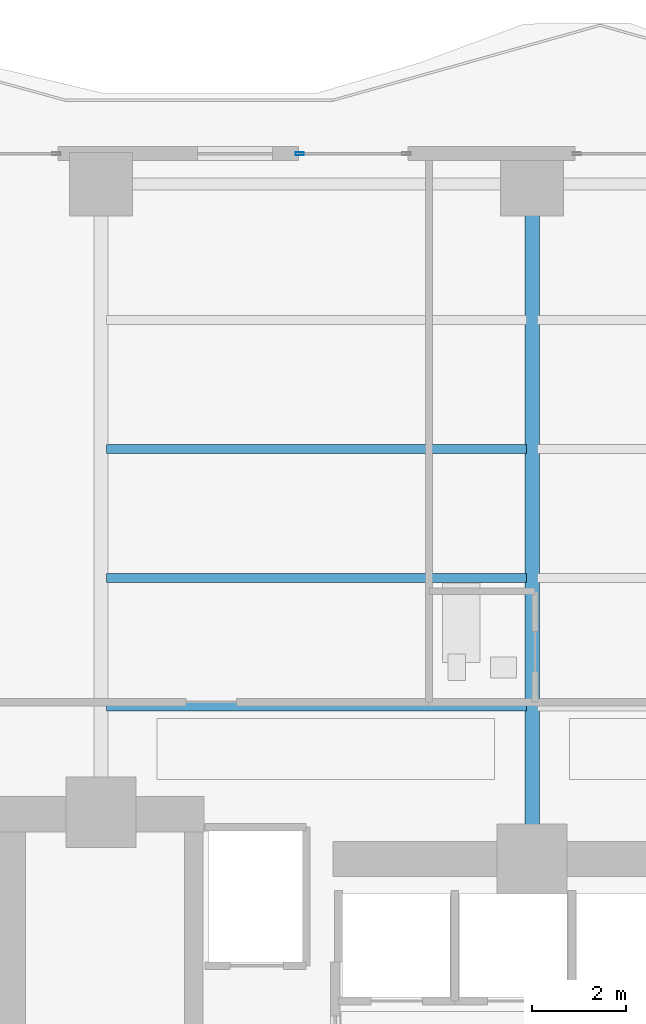
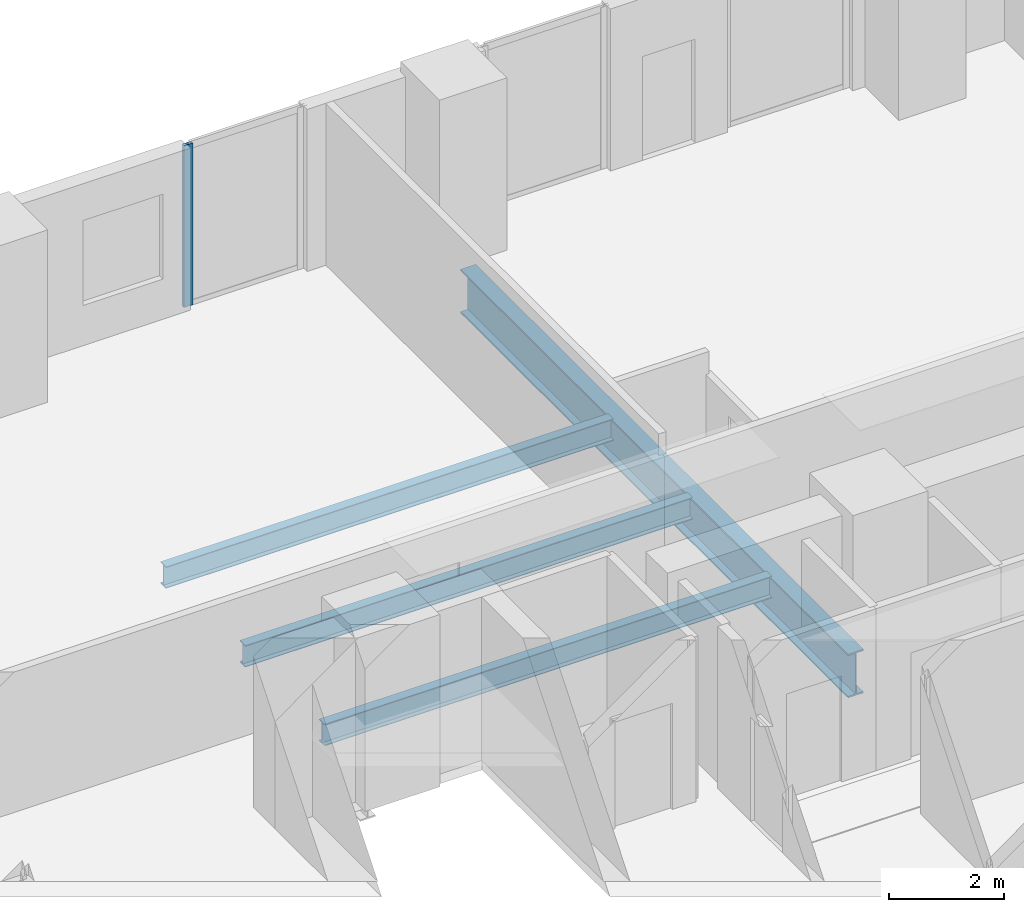
# One storey, part 15 of 28: 4 beams, 1 member, 1 element without a shape of its own.
"""IFC4 building model written with IfcOpenShell, lengths in metres."""

from ifc_helpers import new_model, si_unit, direction, frame, origin, origin_2d, place, context, subcontext, project, spatial, hollow_rectangle, i_section, extrude, material, layer, layer_set, material_profile, profile_set, type_object, element, aggregate, save


model = new_model("IFC4")

# Units and contexts
model_context = context("Model", 3, precision=1e-05, world=origin(), true_north=direction((0.0, 1.0)))
body_context = subcontext(model_context, "Body", "Model", "MODEL_VIEW")
ifc_project = project(units=[si_unit("LENGTHUNIT", "METRE"), si_unit("AREAUNIT", "SQUARE_METRE"), si_unit("VOLUMEUNIT", "CUBIC_METRE"), si_unit("PLANEANGLEUNIT", "RADIAN"), si_unit("MASSUNIT", "GRAM", prefix="KILO")], contexts=[model_context])

# Site, building, storey
site_placement = place(None, origin())
site = spatial("IfcSite", under=ifc_project, at=site_placement, CompositionType="ELEMENT")
building_placement = place(site_placement, origin())
building = spatial("IfcBuilding", under=site, at=building_placement, Name="Zuhayl Quay Hotel", CompositionType="ELEMENT")
storey_placement = place(building_placement, frame((0.0, 0.0, 143.10009765625)))
storey = spatial("IfcBuildingStorey", under=building, at=storey_placement, Name="L36", CompositionType="ELEMENT", Elevation=143.10009765625)

# Beams
ifc_material_1 = material(Name="Steel ASTM A992 Grade 50", Category="steel")
ifc_material_profile_1 = material_profile(ifc_material_1, i_section(OverallWidth=0.18994140625, OverallDepth=0.45703125, WebThickness=0.009033203125, FlangeThickness=0.014404296875, at=origin_2d()), Name="W18X50")
ifc_profile_set_1 = profile_set([ifc_material_profile_1], Name="Steel ASTM A992 Grade 50")
beam_type_1 = type_object("IfcBeamType", Name="BM_J2_W18X50", PredefinedType="JOIST", material=ifc_profile_set_1)
for number, where, z_axis, x_axis, name in (
    (1, (-13.680908203125, 16.60009765625, -0.448486328125), (1.0, 0.0, 0.0), (0.0, 1.0, 0.0), "L36 Floor Beam FJ_L36_1_1"),
    (2, (-13.680908203125, 19.35009765625, -0.448486328125), (1.0, 0.0, 0.0), (0.0, 1.0, 0.0), "L36 Floor Beam FJ_L36_2_1"),
    (3, (-13.680908203125, 22.10009765625, -0.448486328125), (1.0, 0.0, 0.0), (0.0, 1.0, 0.0), "L36 Floor Beam FJ_L36_3_1"),
):
    element("IfcBeam", number, at=place(storey_placement, frame(where, z_axis=z_axis, x_axis=x_axis)), inside=storey, type_object=beam_type_1, Name=name, PredefinedType="JOIST", context=body_context, shape_type="SweptSolid", body=[
        extrude(i_section(OverallWidth=0.18994140625, OverallDepth=0.45703125, WebThickness=0.009033203125, FlangeThickness=0.014404296875, at=origin_2d()), origin(), (0.0, 0.0, 1.0), 8.9619140625),
    ])
ifc_material_profile_2 = material_profile(ifc_material_1, i_section(OverallWidth=0.306884765625, OverallDepth=0.927001953125, WebThickness=0.019287109375, FlangeThickness=0.031982421875, at=origin_2d()), Name="W36X194")
ifc_profile_set_2 = profile_set([ifc_material_profile_2], Name="Steel ASTM A992 Grade 50")
beam_type_2 = type_object("IfcBeamType", Name="BM_PG2_W36X194", PredefinedType="BEAM", material=ifc_profile_set_2)
beam_placement = place(storey_placement, frame((-4.60009765625, 13.800048828125, -0.68359375), z_axis=(0.0, 1.0, 0.0), x_axis=(-1.0, 0.0, 0.0)))
element("IfcBeam", 4, at=beam_placement, inside=storey, type_object=beam_type_2, Name="L36 Floor Beam FG_N_L36_2", PredefinedType="BEAM", context=body_context, shape_type="SweptSolid", body=[
    extrude(i_section(OverallWidth=0.306884765625, OverallDepth=0.927001953125, WebThickness=0.019287109375, FlangeThickness=0.031982421875, at=origin_2d()), origin(), (0.0, 0.0, 1.0), 13.449951171875),
])

# Curtain wall, member
ifc_material_2 = material(Name="Anodised Aluminium 6063-T6", Category="aluminium")
ifc_layer = layer(ifc_material_2, 0.179931640625, Name="Anodised Aluminium 6063-T6", Category="aluminium")
ifc_layer_set = layer_set([ifc_layer], Name="Anodised Aluminium 6063-T6")
curtain_wall_type = type_object("IfcCurtainWallType", Name="CW_SYS_Z2", PredefinedType="USERDEFINED", material=ifc_layer_set)
curtain_wall_placement = place(storey_placement, origin())
curtain_wall = element("IfcCurtainWall", 5, at=curtain_wall_placement, inside=storey, type_object=curtain_wall_type, Name="L36 Curtain Wall ENV_L36_N_CW2", ObjectType="UNITISED CURTAIN WALL", PredefinedType="USERDEFINED")
ifc_material_3 = material(Name="Black-anodised aluminium 6063-T6", Category="aluminium")
ifc_material_profile_3 = material_profile(ifc_material_3, hollow_rectangle(XDim=0.06494140625, YDim=0.179931640625, WallThickness=0.00341796875, at=origin_2d()), Name="ALU180X65")
ifc_profile_set_3 = profile_set([ifc_material_profile_3], Name="Black-anodised aluminium 6063-T6")
member_type = type_object("IfcMemberType", Name="MB_CW_MUL_180", PredefinedType="MULLION", material=ifc_profile_set_3)
member_placement = place(storey_placement, frame((-9.5576171875, 28.39990234375, 0.0), z_axis=(0.0, 0.0, 1.0), x_axis=(0.0, 1.0, 0.0)))
member = element("IfcMember", 6, at=member_placement, type_object=member_type, Name="CW-Z2 mullion 1", PredefinedType="MULLION", context=body_context, shape_type="SweptSolid", body=[
    extrude(hollow_rectangle(XDim=0.06494140625, YDim=0.179931640625, WallThickness=0.00341796875, at=origin_2d()), origin(), (0.0, 0.0, 1.0), 3.429931640625),
])
aggregate(curtain_wall, [member])

save(model, "model.ifc")
